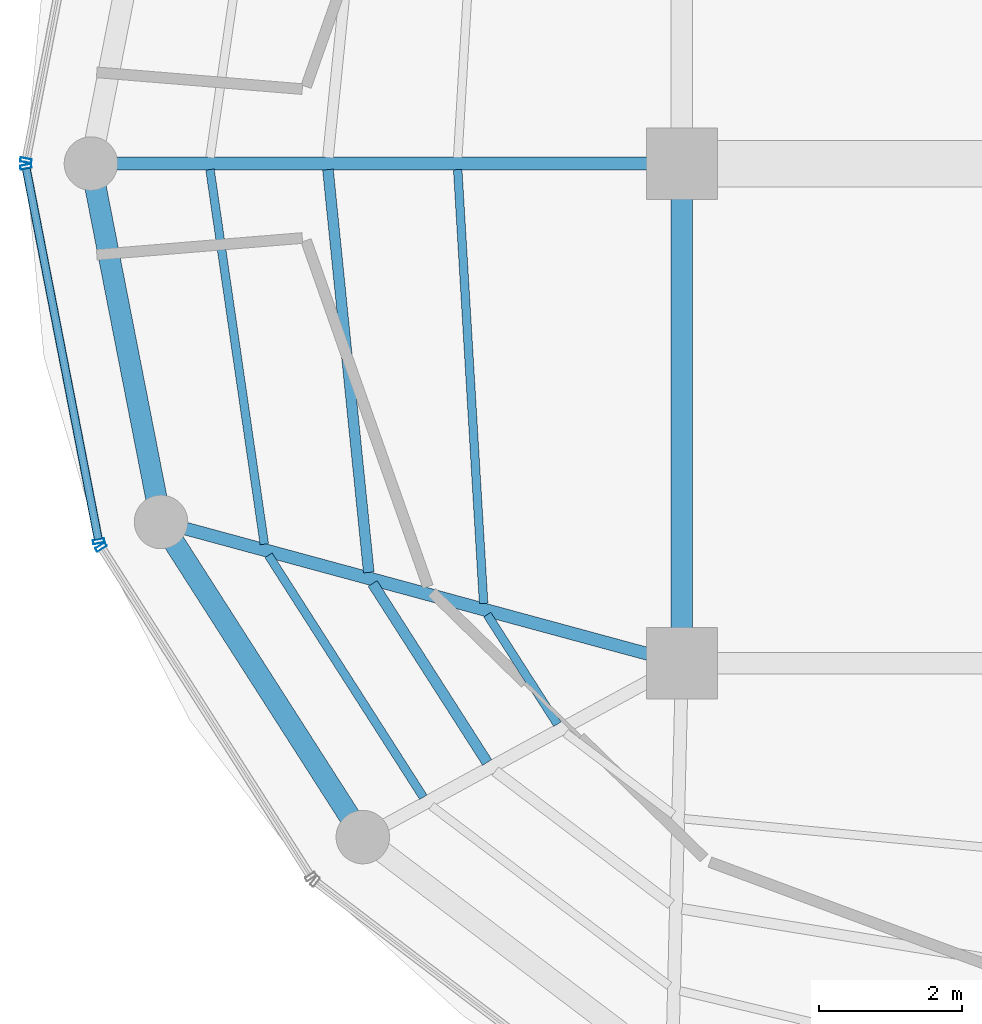
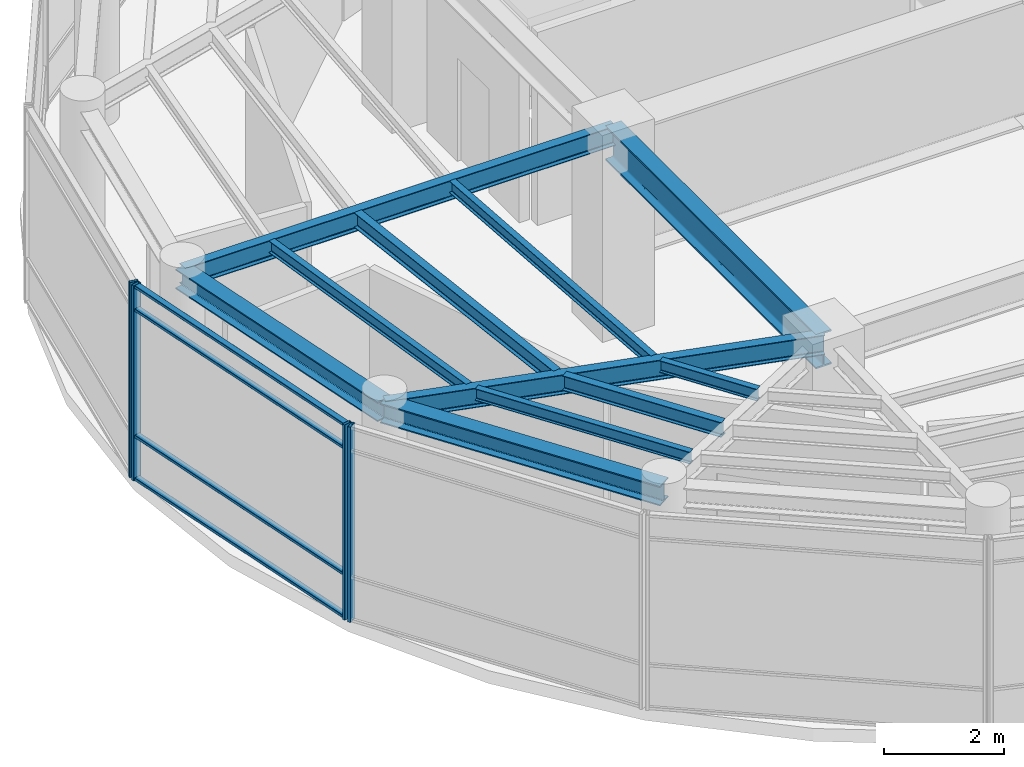
# One storey, part 4 of 19: 11 beams, 8 members, 3 elements without a shape of their own.
"""IFC4 building model written with IfcOpenShell, lengths in metres."""

from ifc_helpers import new_model, si_unit, direction, frame, origin, origin_2d, place, context, subcontext, project, spatial, hollow_rectangle, i_section, extrude, material, layer, layer_set, material_profile, profile_set, type_object, element, aggregate, save


model = new_model("IFC4")

# Units and contexts
model_context = context("Model", 3, precision=1e-05, world=origin(), true_north=direction((0.0, 1.0)))
body_context = subcontext(model_context, "Body", "Model", "MODEL_VIEW")
ifc_project = project(units=[si_unit("LENGTHUNIT", "METRE"), si_unit("AREAUNIT", "SQUARE_METRE"), si_unit("VOLUMEUNIT", "CUBIC_METRE"), si_unit("PLANEANGLEUNIT", "RADIAN"), si_unit("MASSUNIT", "GRAM", prefix="KILO")], contexts=[model_context])

# Site, building, storey
site_placement = place(None, origin())
site = spatial("IfcSite", under=ifc_project, at=site_placement, CompositionType="ELEMENT")
building_placement = place(site_placement, origin())
building = spatial("IfcBuilding", under=site, at=building_placement, Name="Kelanora Arch Commons", CompositionType="ELEMENT")
storey_placement = place(building_placement, frame((0.0, 0.0, 306.89990234375)))
storey = spatial("IfcBuildingStorey", under=building, at=storey_placement, Name="L78", CompositionType="ELEMENT", Elevation=306.89990234375)

# Beams
ifc_material_1 = material(Name="Steel S355", Category="steel")
ifc_material_profile_1 = material_profile(ifc_material_1, i_section(OverallWidth=0.300048828125, OverallDepth=0.699951171875, WebThickness=0.01708984375, FlangeThickness=0.031982421875, FilletRadius=0.027099609375, at=origin_2d()), Name="HEB700")
ifc_profile_set_1 = profile_set([ifc_material_profile_1], Name="Steel S355")
beam_type_1 = type_object("IfcBeamType", Name="BM-CORE-HDR", PredefinedType="BEAM", material=ifc_profile_set_1)
beam_1_placement = place(storey_placement, frame((66.0, 58.0, 3.630126953125), z_axis=(0.0, -1.0, 0.0), x_axis=(1.0, 0.0, 0.0)))
element("IfcBeam", 1, at=beam_1_placement, inside=storey, type_object=beam_type_1, Name="Core Header Beam 09 L78", PredefinedType="BEAM", context=body_context, shape_type="SweptSolid", body=[
    extrude(i_section(OverallWidth=0.300048828125, OverallDepth=0.699951171875, WebThickness=0.01708984375, FlangeThickness=0.031982421875, FilletRadius=0.027099609375, at=origin_2d()), origin(), (0.0, 0.0, 1.0), 7.0),
])
ifc_material_profile_2 = material_profile(ifc_material_1, i_section(OverallWidth=0.14990234375, OverallDepth=0.300048828125, WebThickness=0.007080078125, FlangeThickness=0.0107421875, FilletRadius=0.014892578125, at=origin_2d()), Name="IPE300")
ifc_profile_set_2 = profile_set([ifc_material_profile_2], Name="Steel S355")
beam_type_2 = type_object("IfcBeamType", Name="BM-JST-01", PredefinedType="JOIST", material=ifc_profile_set_2)
beam_2_placement = place(storey_placement, frame((61.04052734375, 57.915283203125, 3.830078125), z_axis=(0.100846008885, -0.994902046682, 0.0), x_axis=(0.994902046682, 0.100846008885, 0.0)))
element("IfcBeam", 2, at=beam_2_placement, inside=storey, type_object=beam_type_2, Name="Secondary Chord Joist BJB-18 L78", PredefinedType="JOIST", context=body_context, shape_type="SweptSolid", body=[
    extrude(i_section(OverallWidth=0.14990234375, OverallDepth=0.300048828125, WebThickness=0.007080078125, FlangeThickness=0.0107421875, FilletRadius=0.014892578125, at=origin_2d()), origin(), (0.0, 0.0, 1.0), 5.672119140625),
])
beam_3_placement = place(storey_placement, frame((61.6669921875, 52.115966796875, 3.830078125), z_axis=(0.539193378054, -0.84218198809, 0.0), x_axis=(0.84218198809, 0.539193378054, 0.0)))
element("IfcBeam", 3, at=beam_3_placement, inside=storey, type_object=beam_type_2, Name="Secondary Chord Joist BJB-20 L78", PredefinedType="JOIST", context=body_context, shape_type="SweptSolid", body=[
    extrude(i_section(OverallWidth=0.14990234375, OverallDepth=0.300048828125, WebThickness=0.007080078125, FlangeThickness=0.0107421875, FilletRadius=0.014892578125, at=origin_2d()), origin(), (0.0, 0.0, 1.0), 2.975830078125),
])
ifc_material_profile_3 = material_profile(ifc_material_1, i_section(OverallWidth=0.1201171875, OverallDepth=0.239990234375, WebThickness=0.006103515625, FlangeThickness=0.009765625, FilletRadius=0.014892578125, at=origin_2d()), Name="IPE240")
ifc_profile_set_3 = profile_set([ifc_material_profile_3], Name="Steel S355")
beam_type_3 = type_object("IfcBeamType", Name="BM-JST-02", PredefinedType="JOIST", material=ifc_profile_set_3)
beam_4_placement = place(storey_placement, frame((62.858642578125, 57.915283203125, 3.860107421875), z_axis=(0.059619828045, -0.998221155909, 0.0), x_axis=(0.998221155909, 0.059619828045, 0.0)))
element("IfcBeam", 4, at=beam_4_placement, inside=storey, type_object=beam_type_3, Name="Secondary Chord Joist BJA-18 L78", PredefinedType="JOIST", context=body_context, shape_type="SweptSolid", body=[
    extrude(i_section(OverallWidth=0.1201171875, OverallDepth=0.239990234375, WebThickness=0.006103515625, FlangeThickness=0.009765625, FilletRadius=0.014892578125, at=origin_2d()), origin(), (0.0, 0.0, 1.0), 6.089111328125),
])
beam_5_placement = place(storey_placement, frame((59.38818359375, 57.916015625, 3.860107421875), z_axis=(0.143489842264, -0.989651789857, 0.0), x_axis=(0.989651789857, 0.143489842264, 0.0)))
element("IfcBeam", 5, at=beam_5_placement, inside=storey, type_object=beam_type_3, Name="Secondary Chord Joist BJC-18 L78", PredefinedType="JOIST", context=body_context, shape_type="SweptSolid", body=[
    extrude(i_section(OverallWidth=0.1201171875, OverallDepth=0.239990234375, WebThickness=0.006103515625, FlangeThickness=0.009765625, FilletRadius=0.014892578125, at=origin_2d()), origin(), (0.0, 0.0, 1.0), 5.303466796875),
])
beam_6_placement = place(storey_placement, frame((63.2724609375, 51.680419921875, 3.860107421875), z_axis=(0.539300812993, -0.842113194947, 0.0), x_axis=(0.842113194947, 0.539300812993, 0.0)))
element("IfcBeam", 6, at=beam_6_placement, inside=storey, type_object=beam_type_3, Name="Secondary Chord Joist BJA-20 L78", PredefinedType="JOIST", context=body_context, shape_type="SweptSolid", body=[
    extrude(i_section(OverallWidth=0.1201171875, OverallDepth=0.239990234375, WebThickness=0.006103515625, FlangeThickness=0.009765625, FilletRadius=0.014892578125, at=origin_2d()), origin(), (0.0, 0.0, 1.0), 1.822021484375),
])
beam_7_placement = place(storey_placement, frame((60.207275390625, 52.51171875, 3.860107421875), z_axis=(0.539232732312, -0.842156790867, 0.0), x_axis=(0.842156790867, 0.539232732312, 0.0)))
element("IfcBeam", 7, at=beam_7_placement, inside=storey, type_object=beam_type_3, Name="Secondary Chord Joist BJC-20 L78", PredefinedType="JOIST", context=body_context, shape_type="SweptSolid", body=[
    extrude(i_section(OverallWidth=0.1201171875, OverallDepth=0.239990234375, WebThickness=0.006103515625, FlangeThickness=0.009765625, FilletRadius=0.014892578125, at=origin_2d()), origin(), (0.0, 0.0, 1.0), 4.024169921875),
])
ifc_material_profile_4 = material_profile(ifc_material_1, i_section(OverallWidth=0.179931640625, OverallDepth=0.39990234375, WebThickness=0.008544921875, FlangeThickness=0.013427734375, FilletRadius=0.02099609375, at=origin_2d()), Name="IPE400")
ifc_profile_set_4 = profile_set([ifc_material_profile_4], Name="Steel S355")
beam_type_4 = type_object("IfcBeamType", Name="BM-RAD-Z5", PredefinedType="BEAM", material=ifc_profile_set_4)
beam_8_placement = place(storey_placement, frame((66.0, 58.0, 3.780029296875), z_axis=(-1.0, 0.0, 0.0), x_axis=(0.0, -1.0, 0.0)))
element("IfcBeam", 8, at=beam_8_placement, inside=storey, type_object=beam_type_4, Name="Radial Floor Girder BR-18 L78", PredefinedType="BEAM", context=body_context, shape_type="SweptSolid", body=[
    extrude(i_section(OverallWidth=0.179931640625, OverallDepth=0.39990234375, WebThickness=0.008544921875, FlangeThickness=0.013427734375, FilletRadius=0.02099609375, at=origin_2d()), origin(), (0.0, 0.0, 1.0), 8.280029296875),
])
beam_9_placement = place(storey_placement, frame((66.0, 51.0, 3.780029296875), z_axis=(-0.965145027625, 0.26171563891, 0.0), x_axis=(-0.26171563891, -0.965145027625, 0.0)))
element("IfcBeam", 9, at=beam_9_placement, inside=storey, type_object=beam_type_4, Name="Radial Floor Girder BR-20 L78", PredefinedType="BEAM", context=body_context, shape_type="SweptSolid", body=[
    extrude(i_section(OverallWidth=0.179931640625, OverallDepth=0.39990234375, WebThickness=0.008544921875, FlangeThickness=0.013427734375, FilletRadius=0.02099609375, at=origin_2d()), origin(), (0.0, 0.0, 1.0), 7.561767578125),
])
ifc_material_profile_5 = material_profile(ifc_material_1, i_section(OverallWidth=0.300048828125, OverallDepth=0.39990234375, WebThickness=0.013427734375, FlangeThickness=0.02392578125, FilletRadius=0.027099609375, at=origin_2d()), Name="HEB400")
ifc_profile_set_5 = profile_set([ifc_material_profile_5], Name="Steel S355")
beam_type_5 = type_object("IfcBeamType", Name="BM-SPN-Z4", PredefinedType="SPANDREL", material=ifc_profile_set_5)
beam_10_placement = place(storey_placement, frame((57.719970703125, 58.0, 3.780029296875), z_axis=(0.191929675955, -0.981408681176, 0.0), x_axis=(0.981408681176, 0.191929675955, 0.0)))
element("IfcBeam", 10, at=beam_10_placement, inside=storey, type_object=beam_type_5, Name="Perimeter Spandrel Beam BS-18 L78", PredefinedType="SPANDREL", context=body_context, shape_type="SweptSolid", body=[
    extrude(i_section(OverallWidth=0.300048828125, OverallDepth=0.39990234375, WebThickness=0.013427734375, FlangeThickness=0.02392578125, FilletRadius=0.027099609375, at=origin_2d()), origin(), (0.0, 0.0, 1.0), 5.1162109375),
])
beam_11_placement = place(storey_placement, frame((58.701904296875, 52.97900390625, 3.780029296875), z_axis=(0.53922680048, -0.842160588987, 0.0), x_axis=(0.842160588987, 0.53922680048, 0.0)))
element("IfcBeam", 11, at=beam_11_placement, inside=storey, type_object=beam_type_5, Name="Perimeter Spandrel Beam BS-20 L78", PredefinedType="SPANDREL", context=body_context, shape_type="SweptSolid", body=[
    extrude(i_section(OverallWidth=0.300048828125, OverallDepth=0.39990234375, WebThickness=0.013427734375, FlangeThickness=0.02392578125, FilletRadius=0.027099609375, at=origin_2d()), origin(), (0.0, 0.0, 1.0), 5.242431640625),
])

# Curtain wall, member
ifc_material_2 = material(Name="Terracotta ceramic-fritted low-E glass and aluminium", Category="masonry")
ifc_layer = layer(ifc_material_2, 0.14990234375)
ifc_layer_set = layer_set([ifc_layer], Name="Terracotta ceramic-fritted low-E glass and aluminium")
curtain_wall_type = type_object("IfcCurtainWallType", Name="CW-SYS-06", PredefinedType="NOTDEFINED", material=ifc_layer_set)
curtain_wall_1_placement = place(storey_placement, origin())
curtain_wall_1 = element("IfcCurtainWall", 12, at=curtain_wall_1_placement, inside=storey, type_object=curtain_wall_type, Name="Unitised Curtain Wall L78-B08", PredefinedType="NOTDEFINED")
ifc_material_3 = material(Name="Powder-coated aluminium terracotta", Category="masonry")
ifc_material_profile_6 = material_profile(ifc_material_3, hollow_rectangle(XDim=0.159912109375, YDim=0.06005859375, WallThickness=0.0048828125, InnerFilletRadius=0.0048828125, OuterFilletRadius=0.010009765625, at=origin_2d()), Name="CWM160x60")
ifc_profile_set_6 = profile_set([ifc_material_profile_6], Name="Powder-coated aluminium terracotta")
member_type_1 = type_object("IfcMemberType", Name="CWM-STD", PredefinedType="MULLION", material=ifc_profile_set_6)
member_1_placement = place(storey_placement, frame((56.80859375, 58.044189453125, 0.0), z_axis=(0.0, 0.0, 1.0), x_axis=(0.981623765263, -0.190826579571, 0.0)))
member_1 = element("IfcMember", 13, at=member_1_placement, type_object=member_type_1, Name="CW-06 mullion 2", PredefinedType="MULLION", context=body_context, shape_type="SweptSolid", body=[
    extrude(hollow_rectangle(XDim=0.159912109375, YDim=0.06005859375, WallThickness=0.0048828125, InnerFilletRadius=0.0048828125, OuterFilletRadius=0.010009765625, at=origin_2d()), origin(), (0.0, 0.0, 1.0), 3.965087890625),
])
aggregate(curtain_wall_1, [member_1])

# Curtain wall, members
curtain_wall_2_placement = place(storey_placement, origin())
curtain_wall_2 = element("IfcCurtainWall", 14, at=curtain_wall_2_placement, inside=storey, type_object=curtain_wall_type, Name="Unitised Curtain Wall L78-B09", PredefinedType="NOTDEFINED")
member_2_placement = place(storey_placement, frame((56.80859375, 57.955810546875, 0.0), z_axis=(0.0, 0.0, 1.0), x_axis=(0.981623765263, 0.190826579571, 0.0)))
member_2 = element("IfcMember", 15, at=member_2_placement, type_object=member_type_1, Name="CW-06 mullion 1", PredefinedType="MULLION", context=body_context, shape_type="SweptSolid", body=[
    extrude(hollow_rectangle(XDim=0.159912109375, YDim=0.06005859375, WallThickness=0.0048828125, InnerFilletRadius=0.0048828125, OuterFilletRadius=0.010009765625, at=origin_2d()), origin(), (0.0, 0.0, 1.0), 3.965087890625),
])
member_3_placement = place(storey_placement, frame((57.82861328125, 52.708740234375, 0.0), z_axis=(0.0, 0.0, 1.0), x_axis=(0.981623765263, 0.190826579571, 0.0)))
member_3 = element("IfcMember", 16, at=member_3_placement, type_object=member_type_1, Name="CW-06 mullion 2", PredefinedType="MULLION", context=body_context, shape_type="SweptSolid", body=[
    extrude(hollow_rectangle(XDim=0.159912109375, YDim=0.06005859375, WallThickness=0.0048828125, InnerFilletRadius=0.0048828125, OuterFilletRadius=0.010009765625, at=origin_2d()), origin(), (0.0, 0.0, 1.0), 3.965087890625),
])

# Curtain wall, member
curtain_wall_3_placement = place(storey_placement, origin())
curtain_wall_3 = element("IfcCurtainWall", 17, at=curtain_wall_3_placement, inside=storey, type_object=curtain_wall_type, Name="Unitised Curtain Wall L78-B10", PredefinedType="NOTDEFINED")
member_4_placement = place(storey_placement, frame((57.861572265625, 52.62646484375, 0.0), z_axis=(0.0, 0.0, 1.0), x_axis=(0.84359225554, 0.536984270154, 0.0)))
member_4 = element("IfcMember", 18, at=member_4_placement, type_object=member_type_1, Name="CW-06 mullion 1", PredefinedType="MULLION", context=body_context, shape_type="SweptSolid", body=[
    extrude(hollow_rectangle(XDim=0.159912109375, YDim=0.06005859375, WallThickness=0.0048828125, InnerFilletRadius=0.0048828125, OuterFilletRadius=0.010009765625, at=origin_2d()), origin(), (0.0, 0.0, 1.0), 3.965087890625),
])
aggregate(curtain_wall_3, [member_4])

# Member
ifc_material_profile_7 = material_profile(ifc_material_3, hollow_rectangle(XDim=0.1201171875, YDim=0.06005859375, WallThickness=0.0048828125, InnerFilletRadius=0.0048828125, OuterFilletRadius=0.010009765625, at=origin_2d()), Name="CWT120x60")
ifc_profile_set_7 = profile_set([ifc_material_profile_7], Name="Powder-coated aluminium terracotta")
member_type_2 = type_object("IfcMemberType", Name="CWT-STD", PredefinedType="USERDEFINED", material=ifc_profile_set_7)
member_5_placement = place(storey_placement, frame((56.814453125, 57.926513671875, 0.030029296875), z_axis=(0.190810315943, -0.981626926755, 0.0), x_axis=(0.981626926755, 0.190810315943, 0.0)))
member_5 = element("IfcMember", 19, at=member_5_placement, type_object=member_type_2, Name="CW-06 transom 1.1", ObjectType="TRANSOM", PredefinedType="USERDEFINED", context=body_context, shape_type="SweptSolid", body=[
    extrude(hollow_rectangle(XDim=0.1201171875, YDim=0.06005859375, WallThickness=0.0048828125, InnerFilletRadius=0.0048828125, OuterFilletRadius=0.010009765625, at=origin_2d()), origin(), (0.0, 0.0, 1.0), 5.28564453125),
])

member_6_placement = place(storey_placement, frame((56.814453125, 57.926513671875, 0.900146484375), z_axis=(0.190810315943, -0.981626926755, 0.0), x_axis=(0.981626926755, 0.190810315943, 0.0)))
member_6 = element("IfcMember", 20, at=member_6_placement, type_object=member_type_2, Name="CW-06 transom 1.2", ObjectType="TRANSOM", PredefinedType="USERDEFINED", context=body_context, shape_type="SweptSolid", body=[
    extrude(hollow_rectangle(XDim=0.1201171875, YDim=0.06005859375, WallThickness=0.0048828125, InnerFilletRadius=0.0048828125, OuterFilletRadius=0.010009765625, at=origin_2d()), origin(), (0.0, 0.0, 1.0), 5.28564453125),
])

member_7_placement = place(storey_placement, frame((56.814453125, 57.926513671875, 3.465087890625), z_axis=(0.190810315943, -0.981626926755, 0.0), x_axis=(0.981626926755, 0.190810315943, 0.0)))
member_7 = element("IfcMember", 21, at=member_7_placement, type_object=member_type_2, Name="CW-06 transom 1.3", ObjectType="TRANSOM", PredefinedType="USERDEFINED", context=body_context, shape_type="SweptSolid", body=[
    extrude(hollow_rectangle(XDim=0.1201171875, YDim=0.06005859375, WallThickness=0.0048828125, InnerFilletRadius=0.0048828125, OuterFilletRadius=0.010009765625, at=origin_2d()), origin(), (0.0, 0.0, 1.0), 5.28564453125),
])

member_8_placement = place(storey_placement, frame((56.814453125, 57.926513671875, 3.93505859375), z_axis=(0.190810315943, -0.981626926755, 0.0), x_axis=(0.981626926755, 0.190810315943, 0.0)))
member_8 = element("IfcMember", 22, at=member_8_placement, type_object=member_type_2, Name="CW-06 transom 1.4", ObjectType="TRANSOM", PredefinedType="USERDEFINED", context=body_context, shape_type="SweptSolid", body=[
    extrude(hollow_rectangle(XDim=0.1201171875, YDim=0.06005859375, WallThickness=0.0048828125, InnerFilletRadius=0.0048828125, OuterFilletRadius=0.010009765625, at=origin_2d()), origin(), (0.0, 0.0, 1.0), 5.28564453125),
])

aggregate(curtain_wall_2, [member_2, member_3, member_5, member_6, member_7, member_8])

save(model, "model.ifc")
